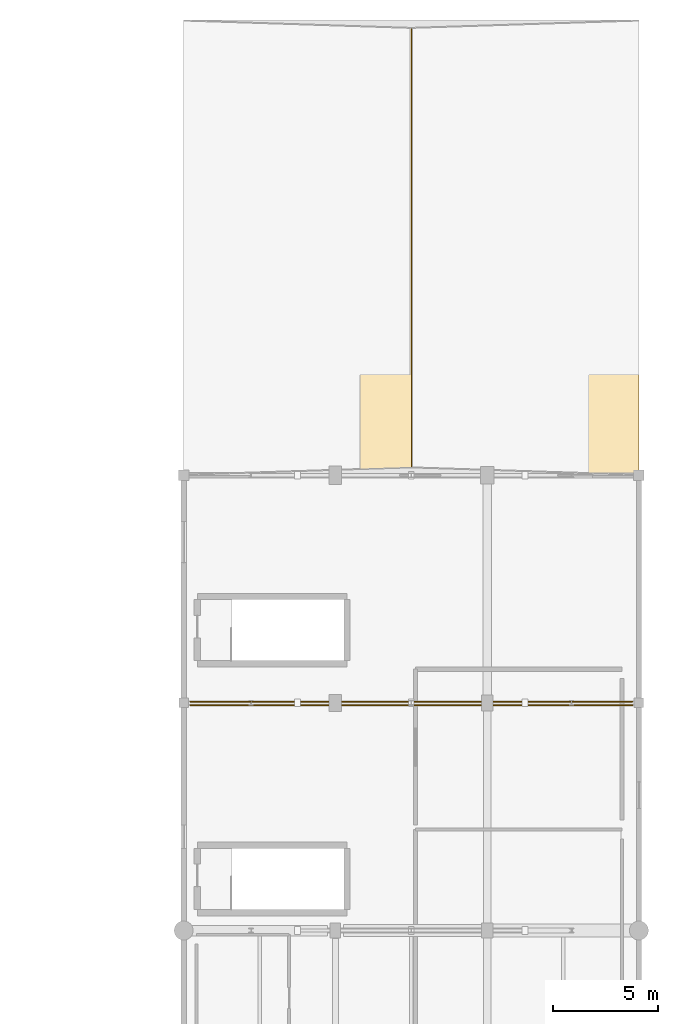
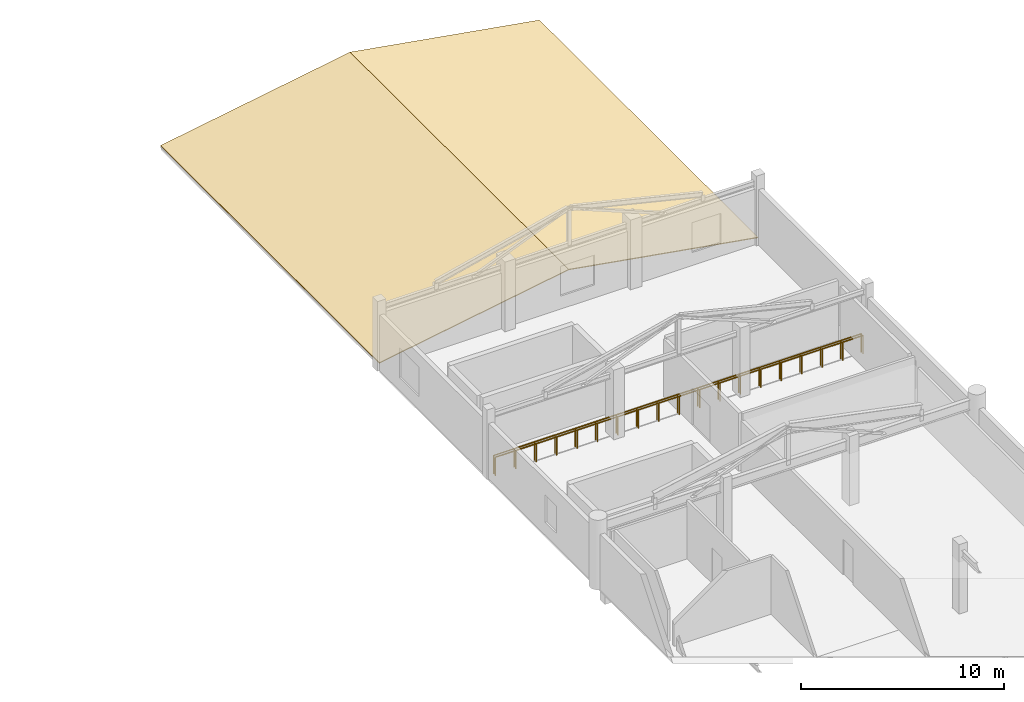
# One storey, part 41 of 41: 2 coverings, 2 railings.
"""IFC4 building model written with IfcOpenShell, lengths in metres."""

import ifcopenshell
import ifcopenshell.guid

model = None  # the IFC model being written
_history = None  # IfcOwnerHistory: only IFC2X3 demands one
_inside = {}  # id of a spatial element -> (the spatial element, [elements in it])
_under = {}  # id of a project, library or spatial element -> (it, [spatial elements below it])
_declared = {}  # id of a project -> (the project, [libraries it declares])
_typed = {}  # id of a type object -> (the type object, [elements of that type])
_made_of = {}  # id of a material, layer set ... -> (it, [elements and type objects made of it])


def new_model(schema):
    """Start an empty IFC model of exactly this schema.

    Asked for "IFC4X3", IfcOpenShell would pick the latest addendum, in which some entities
    have other attributes; the version numbers below select the first issue.
    IFC2X3 requires an IfcOwnerHistory on every rooted entity: one is made here for all.
    """
    global model, _history
    if schema == "IFC4X3":
        model = ifcopenshell.file(schema_version=(4, 3, 0, 0))
    else:
        model = ifcopenshell.file(schema=schema)
    _inside.clear()
    _under.clear()
    _declared.clear()
    _typed.clear()
    _made_of.clear()
    _history = None
    if model.schema == "IFC2X3":
        org = make("IfcOrganization", Name="unknown")
        user = make(
            "IfcPersonAndOrganization",
            ThePerson=make("IfcPerson", FamilyName="unknown"),
            TheOrganization=org,
        )
        app = make(
            "IfcApplication",
            ApplicationDeveloper=org,
            Version="unknown",
            ApplicationFullName="unknown",
            ApplicationIdentifier="unknown",
        )
        _history = make(
            "IfcOwnerHistory",
            OwningUser=user,
            OwningApplication=app,
            ChangeAction="ADDED",
            CreationDate=0,
        )
    return model


def make(cls, **values):
    """One entity of the class cls with the attributes given. An attribute that is None is left unset."""
    return model.create_entity(
        cls, **{name: value for name, value in values.items() if value is not None}
    )


def rooted(cls, **values):
    """An entity with a GlobalId (a new one), such as an element, a storey or a relation."""
    return make(cls, GlobalId=ifcopenshell.guid.new(), OwnerHistory=_history, **values)


def si_unit(unit_type, name, prefix=None):
    """IfcSIUnit, for example si_unit("LENGTHUNIT", "METRE", prefix="MILLI")."""
    return make("IfcSIUnit", UnitType=unit_type, Prefix=prefix, Name=name)


def assignment(units):
    """IfcUnitAssignment: the units of a project."""
    return None if units is None else make("IfcUnitAssignment", Units=units)


def point(xyz):
    """IfcCartesianPoint."""
    return None if xyz is None else make("IfcCartesianPoint", Coordinates=xyz)


def direction(xyz):
    """IfcDirection."""
    return None if xyz is None else make("IfcDirection", DirectionRatios=xyz)


def frame(location, z_axis=None, x_axis=None):
    """IfcAxis2Placement3D, a coordinate frame: its origin and axes. An axis left out is left unset."""
    return make(
        "IfcAxis2Placement3D",
        Location=point(location),
        Axis=direction(z_axis),
        RefDirection=direction(x_axis),
    )


def frame_2d(location, x_axis=None):
    """IfcAxis2Placement2D, a coordinate frame in the plane: its origin and x axis."""
    return make(
        "IfcAxis2Placement2D", Location=point(location), RefDirection=direction(x_axis)
    )


def origin():
    """The frame at (0, 0, 0) with its axes left unset."""
    return frame((0.0, 0.0, 0.0))


def origin_2d():
    """The frame at (0, 0) in the plane with its x axis left unset."""
    return frame_2d((0.0, 0.0))


def place(relative_to, where):
    """IfcLocalPlacement: puts the frame where relative to a parent placement (None: the world)."""
    return make(
        "IfcLocalPlacement", PlacementRelTo=relative_to, RelativePlacement=where
    )


def context(
    kind, dimensions, precision=None, world=None, true_north=None, identifier=None
):
    """IfcGeometricRepresentationContext, for example the 3D "Model" context."""
    return make(
        "IfcGeometricRepresentationContext",
        ContextIdentifier=identifier,
        ContextType=kind,
        CoordinateSpaceDimension=dimensions,
        Precision=precision,
        WorldCoordinateSystem=world,
        TrueNorth=true_north,
    )


def subcontext(parent, identifier, kind, view, scale=None):
    """IfcGeometricRepresentationSubContext, for example "Body" below "Model"."""
    return make(
        "IfcGeometricRepresentationSubContext",
        ContextIdentifier=identifier,
        ContextType=kind,
        ParentContext=parent,
        TargetScale=scale,
        TargetView=view,
    )


def project(units=None, contexts=None):
    """IfcProject with its units and contexts."""
    return rooted(
        "IfcProject",
        Name="project",
        RepresentationContexts=contexts,
        UnitsInContext=assignment(units),
    )


def spatial(cls, under=None, at=None, **own):
    """A site, building, storey or space (cls), placed at a placement, below another one or the project."""
    s = rooted(cls, ObjectPlacement=at, **own)
    if under is not None:
        _under.setdefault(under.id(), (under, []))[1].append(s)
    return s


def polyline(points):
    """IfcPolyline through the points."""
    return make("IfcPolyline", Points=[point(p) for p in points])


def profile(cls, at=None, kind="AREA", **sizes):
    """A parametric profile (cls). Its sizes go by their IFC names, for example OverallWidth=200.0."""
    return make(cls, ProfileType=kind, Position=at, **sizes)


def circle(**sizes):
    """IfcCircleProfileDef."""
    return profile("IfcCircleProfileDef", **sizes)


def outline(outer, holes=None, kind="AREA"):
    """IfcArbitraryClosedProfileDef: a profile drawn as a closed curve; with holes, ...WithVoids."""
    if holes is None:
        return make("IfcArbitraryClosedProfileDef", ProfileType=kind, OuterCurve=outer)
    return make(
        "IfcArbitraryProfileDefWithVoids",
        ProfileType=kind,
        OuterCurve=outer,
        InnerCurves=holes,
    )


def extrude(swept, where, along, depth):
    """IfcExtrudedAreaSolid: the profile swept, set in the frame where, extruded along a direction by depth."""
    return make(
        "IfcExtrudedAreaSolid",
        SweptArea=swept,
        Position=where,
        ExtrudedDirection=direction(along),
        Depth=depth,
    )


def shape(context_of_items, identifier, shape_type, items):
    """IfcShapeRepresentation: the items that make up one representation, for example the "Body"."""
    return make(
        "IfcShapeRepresentation",
        ContextOfItems=context_of_items,
        RepresentationIdentifier=identifier,
        RepresentationType=shape_type,
        Items=items,
    )


def material(Name=None, Category=None):
    """IfcMaterial."""
    return make("IfcMaterial", Name=Name, Category=Category)


def layer(
    of_material, thickness, ventilated=None, Name=None, Category=None, Priority=None
):
    """IfcMaterialLayer: one layer of a wall or slab, of a material (None: an air gap)."""
    return make(
        "IfcMaterialLayer",
        Material=of_material,
        LayerThickness=thickness,
        IsVentilated=ventilated,
        Name=Name,
        Category=Category,
        Priority=Priority,
    )


def layer_set(layers, Name=None):
    """IfcMaterialLayerSet."""
    return make("IfcMaterialLayerSet", MaterialLayers=layers, LayerSetName=Name)


def made_of(thing, what):
    """Note that an element or type object is made of a material, layer set ...; save() writes the relation."""
    if what is not None:
        _made_of.setdefault(what.id(), (what, []))[1].append(thing)
    return thing


def type_object(cls, material=None, **own):
    """A type object (cls), such as IfcWallType, which elements share."""
    return made_of(rooted(cls, **own), material)


def element(
    cls,
    number,
    at=None,
    inside=None,
    cuts=None,
    type_object=None,
    material=None,
    context=None,
    identifier="Body",
    shape_type=None,
    held_by="IfcProductDefinitionShape",
    body=None,
    shapes=None,
    **own,
):
    """One element of the class cls, such as IfcWall. Its Tag is "e" and its number.

    at: its placement. inside: the storey or other place that contains it. cuts: it is an
    opening in that element (IfcRelVoidsElement). A single representation is given by context,
    identifier, shape_type and body (its items); several are given by shapes. held_by: the class
    of the entity that holds the representations. save() writes the other relations.
    """
    e = rooted(cls, Tag="e%d" % number, ObjectPlacement=at, **own)
    if body is not None:
        shapes = [shape(context, identifier, shape_type, body)]
    if shapes is not None:
        e.Representation = make(held_by, Representations=shapes)
    if inside is not None:
        _inside.setdefault(inside.id(), (inside, []))[1].append(e)
    if cuts is not None:
        rooted(
            "IfcRelVoidsElement", RelatingBuildingElement=cuts, RelatedOpeningElement=e
        )
    if type_object is not None:
        _typed.setdefault(type_object.id(), (type_object, []))[1].append(e)
    return made_of(e, material)


def aggregate(whole, parts):
    """IfcRelAggregates: a whole, such as a stair, and the parts it consists of."""
    return rooted("IfcRelAggregates", RelatingObject=whole, RelatedObjects=parts)


def save(model, path):
    """Write the relations noted so far, then the file.

    IfcRelAggregates (storeys below a building ...), IfcRelContainedInSpatialStructure (elements
    in a storey), IfcRelDefinesByType, IfcRelAssociatesMaterial and IfcRelDeclares: one each for
    every whole, place, type object, material and project.
    """
    for whole, parts in _under.values():
        aggregate(whole, parts)
    for where, things in _inside.values():
        rooted(
            "IfcRelContainedInSpatialStructure",
            RelatedElements=things,
            RelatingStructure=where,
        )
    for kind, things in _typed.values():
        rooted("IfcRelDefinesByType", RelatedObjects=things, RelatingType=kind)
    for what, things in _made_of.values():
        rooted("IfcRelAssociatesMaterial", RelatedObjects=things, RelatingMaterial=what)
    for by, libraries in _declared.values():
        rooted("IfcRelDeclares", RelatingContext=by, RelatedDefinitions=libraries)
    model.write(path)


model = new_model("IFC4")

# Units and contexts
model_context = context("Model", 3, precision=1e-05, world=origin(), true_north=direction((0.0, 1.0)))
body_context = subcontext(model_context, "Body", "Model", "MODEL_VIEW")
ifc_project = project(units=[si_unit("LENGTHUNIT", "METRE"), si_unit("AREAUNIT", "SQUARE_METRE"), si_unit("VOLUMEUNIT", "CUBIC_METRE"), si_unit("PLANEANGLEUNIT", "RADIAN"), si_unit("MASSUNIT", "GRAM", prefix="KILO")], contexts=[model_context])

# Site, building, storey
site_placement = place(None, origin())
site = spatial("IfcSite", under=ifc_project, at=site_placement, CompositionType="ELEMENT")
building_placement = place(site_placement, origin())
building = spatial("IfcBuilding", under=site, at=building_placement, Name="Solanera Park Tramway Depot", CompositionType="ELEMENT")
storey_placement = place(building_placement, frame((0.0, 0.0, 13.199951171875)))
storey = spatial("IfcBuildingStorey", under=building, at=storey_placement, Name="L03", CompositionType="ELEMENT", Elevation=13.199951171875)

# Railings
ifc_material_1 = material(Name="Powder-coated galvanised steel balustrade", Category="steel")
ifc_layer_1 = layer(ifc_material_1, 0.06005859375)
ifc_layer_set_1 = layer_set([ifc_layer_1], Name="Powder-coated galvanised steel balustrade")
railing_type = type_object("IfcRailingType", Name="Classical Wrought-Style Balustrade 1120", PredefinedType="BALUSTRADE", material=ifc_layer_set_1)
railing_1_placement = place(storey_placement, frame((165.919921875, 53.889892578125, 0.0)))
element("IfcRailing", 1, at=railing_1_placement, inside=storey, type_object=railing_type, Name="L03 Perimeter Deck Balustrade #055", PredefinedType="BALUSTRADE", context=body_context, shape_type="SweptSolid", body=[
    extrude(circle(Radius=0.02392578125, at=origin_2d()), frame((0.0, 0.0, 1.09619140625), z_axis=(1.0, 0.0, 0.0), x_axis=(0.0, 1.0, 0.0)), (0.0, 0.0, 1.0), 20.9599609375),
    extrude(circle(Radius=0.02099609375, at=origin_2d()), origin(), (0.0, 0.0, 1.0), 1.072021484375),
    extrude(circle(Radius=0.02099609375, at=origin_2d()), frame((1.16455078125, 0.0, 0.0)), (0.0, 0.0, 1.0), 1.072021484375),
    extrude(circle(Radius=0.02099609375, at=origin_2d()), frame((2.328857421875, 0.0, 0.0)), (0.0, 0.0, 1.0), 1.072021484375),
    extrude(circle(Radius=0.02099609375, at=origin_2d()), frame((3.493408203125, 0.0, 0.0)), (0.0, 0.0, 1.0), 1.072021484375),
    extrude(circle(Radius=0.02099609375, at=origin_2d()), frame((4.65771484375, 0.0, 0.0)), (0.0, 0.0, 1.0), 1.072021484375),
    extrude(circle(Radius=0.02099609375, at=origin_2d()), frame((5.822265625, 0.0, 0.0)), (0.0, 0.0, 1.0), 1.072021484375),
    extrude(circle(Radius=0.02099609375, at=origin_2d()), frame((6.986572265625, 0.0, 0.0)), (0.0, 0.0, 1.0), 1.072021484375),
    extrude(circle(Radius=0.02099609375, at=origin_2d()), frame((8.151123046875, 0.0, 0.0)), (0.0, 0.0, 1.0), 1.072021484375),
    extrude(circle(Radius=0.02099609375, at=origin_2d()), frame((9.3154296875, 0.0, 0.0)), (0.0, 0.0, 1.0), 1.072021484375),
    extrude(circle(Radius=0.02099609375, at=origin_2d()), frame((10.47998046875, 0.0, 0.0)), (0.0, 0.0, 1.0), 1.072021484375),
    extrude(circle(Radius=0.02099609375, at=origin_2d()), frame((11.64453125, 0.0, 0.0)), (0.0, 0.0, 1.0), 1.072021484375),
    extrude(circle(Radius=0.02099609375, at=origin_2d()), frame((12.808837890625, 0.0, 0.0)), (0.0, 0.0, 1.0), 1.072021484375),
    extrude(circle(Radius=0.02099609375, at=origin_2d()), frame((13.973388671875, 0.0, 0.0)), (0.0, 0.0, 1.0), 1.072021484375),
    extrude(circle(Radius=0.02099609375, at=origin_2d()), frame((15.1376953125, 0.0, 0.0)), (0.0, 0.0, 1.0), 1.072021484375),
    extrude(circle(Radius=0.02099609375, at=origin_2d()), frame((16.30224609375, 0.0, 0.0)), (0.0, 0.0, 1.0), 1.072021484375),
    extrude(circle(Radius=0.02099609375, at=origin_2d()), frame((17.466552734375, 0.0, 0.0)), (0.0, 0.0, 1.0), 1.072021484375),
    extrude(circle(Radius=0.02099609375, at=origin_2d()), frame((18.631103515625, 0.0, 0.0)), (0.0, 0.0, 1.0), 1.072021484375),
    extrude(circle(Radius=0.02099609375, at=origin_2d()), frame((19.79541015625, 0.0, 0.0)), (0.0, 0.0, 1.0), 1.072021484375),
    extrude(circle(Radius=0.02099609375, at=origin_2d()), frame((20.9599609375, 0.0, 0.0)), (0.0, 0.0, 1.0), 1.072021484375),
])
railing_2_placement = place(storey_placement, frame((186.8798828125, 54.06005859375, 0.0)))
element("IfcRailing", 2, at=railing_2_placement, inside=storey, type_object=railing_type, Name="L03 Perimeter Deck Balustrade #059", PredefinedType="BALUSTRADE", context=body_context, shape_type="SweptSolid", body=[
    extrude(circle(Radius=0.02392578125, at=origin_2d()), frame((0.0, 0.0, 1.09619140625), z_axis=(-1.0, 0.0, 0.0), x_axis=(0.0, -1.0, 0.0)), (0.0, 0.0, 1.0), 20.9599609375),
    extrude(circle(Radius=0.02099609375, at=origin_2d()), origin(), (0.0, 0.0, 1.0), 1.072021484375),
    extrude(circle(Radius=0.02099609375, at=origin_2d()), frame((-1.16455078125, 0.0, 0.0)), (0.0, 0.0, 1.0), 1.072021484375),
    extrude(circle(Radius=0.02099609375, at=origin_2d()), frame((-2.328857421875, 0.0, 0.0)), (0.0, 0.0, 1.0), 1.072021484375),
    extrude(circle(Radius=0.02099609375, at=origin_2d()), frame((-3.493408203125, 0.0, 0.0)), (0.0, 0.0, 1.0), 1.072021484375),
    extrude(circle(Radius=0.02099609375, at=origin_2d()), frame((-4.65771484375, 0.0, 0.0)), (0.0, 0.0, 1.0), 1.072021484375),
    extrude(circle(Radius=0.02099609375, at=origin_2d()), frame((-5.822265625, 0.0, 0.0)), (0.0, 0.0, 1.0), 1.072021484375),
    extrude(circle(Radius=0.02099609375, at=origin_2d()), frame((-6.986572265625, 0.0, 0.0)), (0.0, 0.0, 1.0), 1.072021484375),
    extrude(circle(Radius=0.02099609375, at=origin_2d()), frame((-8.151123046875, 0.0, 0.0)), (0.0, 0.0, 1.0), 1.072021484375),
    extrude(circle(Radius=0.02099609375, at=origin_2d()), frame((-9.3154296875, 0.0, 0.0)), (0.0, 0.0, 1.0), 1.072021484375),
    extrude(circle(Radius=0.02099609375, at=origin_2d()), frame((-10.47998046875, 0.0, 0.0)), (0.0, 0.0, 1.0), 1.072021484375),
    extrude(circle(Radius=0.02099609375, at=origin_2d()), frame((-11.64453125, 0.0, 0.0)), (0.0, 0.0, 1.0), 1.072021484375),
    extrude(circle(Radius=0.02099609375, at=origin_2d()), frame((-12.808837890625, 0.0, 0.0)), (0.0, 0.0, 1.0), 1.072021484375),
    extrude(circle(Radius=0.02099609375, at=origin_2d()), frame((-13.973388671875, 0.0, 0.0)), (0.0, 0.0, 1.0), 1.072021484375),
    extrude(circle(Radius=0.02099609375, at=origin_2d()), frame((-15.1376953125, 0.0, 0.0)), (0.0, 0.0, 1.0), 1.072021484375),
    extrude(circle(Radius=0.02099609375, at=origin_2d()), frame((-16.30224609375, 0.0, 0.0)), (0.0, 0.0, 1.0), 1.072021484375),
    extrude(circle(Radius=0.02099609375, at=origin_2d()), frame((-17.466552734375, 0.0, 0.0)), (0.0, 0.0, 1.0), 1.072021484375),
    extrude(circle(Radius=0.02099609375, at=origin_2d()), frame((-18.631103515625, 0.0, 0.0)), (0.0, 0.0, 1.0), 1.072021484375),
    extrude(circle(Radius=0.02099609375, at=origin_2d()), frame((-19.79541015625, 0.0, 0.0)), (0.0, 0.0, 1.0), 1.072021484375),
    extrude(circle(Radius=0.02099609375, at=origin_2d()), frame((-20.9599609375, 0.0, 0.0)), (0.0, 0.0, 1.0), 1.072021484375),
])

# Coverings
ifc_material_2 = material(Name="Mission terracotta clay barrel tile", Category="masonry")
ifc_layer_2 = layer(ifc_material_2, 0.044921875)
ifc_layer_set_2 = layer_set([ifc_layer_2], Name="Mission terracotta clay barrel tile")
covering_type = type_object("IfcCoveringType", Name="Terracotta Clay Barrel Tile Roofing 45", PredefinedType="ROOFING", material=ifc_layer_set_2)
covering_1_placement = place(storey_placement, frame((165.60009765625, 64.800048828125, 0.28466796875), z_axis=(-0.168437462549, 0.0, 0.98571234202), x_axis=(0.98571234202, 0.0, 0.168437462549)))
element("IfcCovering", 3, at=covering_1_placement, inside=storey, type_object=covering_type, Name="Terracotta Barrel Tile Roof Covering V4L2E.1", PredefinedType="ROOFING", context=body_context, shape_type="SweptSolid", body=[
    extrude(outline(polyline([(0.0, 0.0), (10.956345200437843, 0.0), (10.956345200437843, 21.599853515625), (0.0, 21.599853515625), (0.0, 0.0)])), origin(), (0.0, 0.0, -1.0), 0.044921875),
])
covering_2_placement = place(storey_placement, frame((176.39990234375, 64.800048828125, 2.130126953125), z_axis=(0.168433762957, 0.0, 0.985712974195), x_axis=(0.985712974195, 0.0, -0.168433762957)))
element("IfcCovering", 4, at=covering_2_placement, inside=storey, type_object=covering_type, Name="Terracotta Barrel Tile Roof Covering V4L2E.2", PredefinedType="ROOFING", context=body_context, shape_type="SweptSolid", body=[
    extrude(outline(polyline([(0.0, 0.0), (10.956585852942265, 0.0), (10.956585852942265, 21.599853515625), (0.0, 21.599853515625), (0.0, 0.0)])), origin(), (0.0, 0.0, -1.0), 0.044921875),
])

save(model, "model.ifc")
